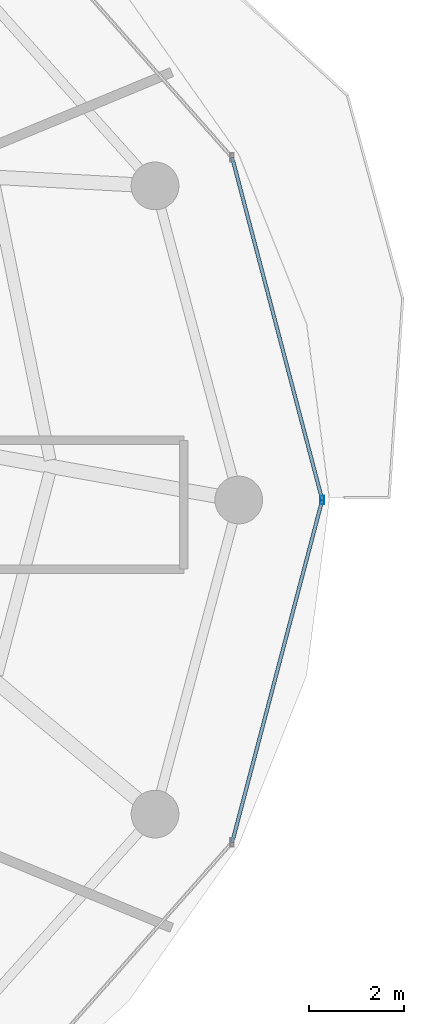
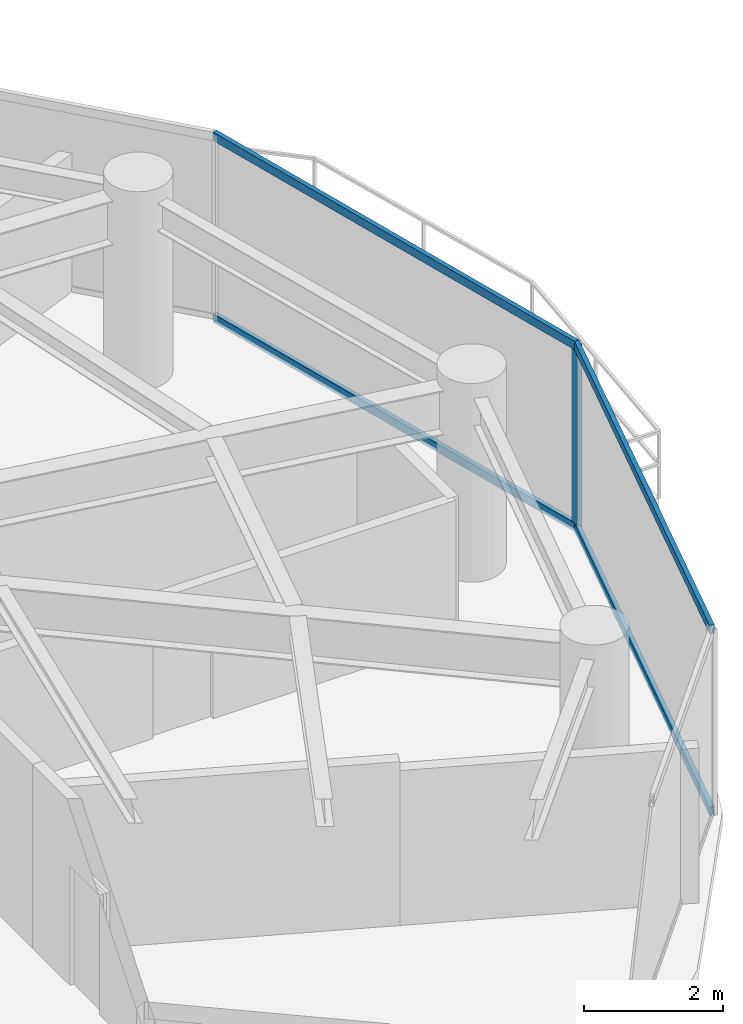
# One storey, part 14 of 28: 5 members, 1 element without a shape of its own.
"""IFC4 building model written with IfcOpenShell, lengths in metres."""

from ifc_helpers import new_model, si_unit, direction, frame, origin, origin_2d, place, context, subcontext, project, spatial, hollow_rectangle, extrude, material, material_profile, profile_set, type_object, element, aggregate, save


model = new_model("IFC4")

# Units and contexts
model_context = context("Model", 3, precision=1e-05, world=origin(), true_north=direction((0.0, 1.0)))
body_context = subcontext(model_context, "Body", "Model", "MODEL_VIEW")
ifc_project = project(units=[si_unit("LENGTHUNIT", "METRE"), si_unit("AREAUNIT", "SQUARE_METRE"), si_unit("VOLUMEUNIT", "CUBIC_METRE"), si_unit("PLANEANGLEUNIT", "RADIAN"), si_unit("MASSUNIT", "GRAM", prefix="KILO")], contexts=[model_context])

# Site, building, storey
site_placement = place(None, origin())
site = spatial("IfcSite", under=ifc_project, at=site_placement, CompositionType="ELEMENT")
building_placement = place(site_placement, origin())
building = spatial("IfcBuilding", under=site, at=building_placement, Name="Vorneva Point Tower", CompositionType="ELEMENT")
storey_placement = place(building_placement, frame((0.0, 0.0, 164.10009765625)))
storey = spatial("IfcBuildingStorey", under=building, at=storey_placement, Name="L44", CompositionType="ELEMENT", Elevation=164.10009765625)

# Curtain wall, members
ifc_material = material(Name="Pale anodised aluminium", Category="aluminium")
curtain_wall_type = type_object("IfcCurtainWallType", Name="CW-RES-SYS", PredefinedType="NOTDEFINED", material=ifc_material)
curtain_wall_placement = place(storey_placement, origin())
curtain_wall = element("IfcCurtainWall", 1, at=curtain_wall_placement, inside=storey, type_object=curtain_wall_type, Name="L44 Unitised Curtain Wall CW-L44-R01", PredefinedType="NOTDEFINED")
ifc_material_profile_1 = material_profile(ifc_material, hollow_rectangle(XDim=0.074951171875, YDim=0.179931640625, WallThickness=0.00390625, at=origin_2d()), Name="AL-MUL 180x75x4")
ifc_profile_set_1 = profile_set([ifc_material_profile_1], Name="Pale anodised aluminium")
member_type_1 = type_object("IfcMemberType", Name="CW-MUL-180", PredefinedType="MULLION", material=ifc_profile_set_1)
member_1_placement = place(storey_placement, frame((62.800048828125, 26.0, -0.0400390625), z_axis=(0.0, 0.0, 1.0), x_axis=(1.0, 0.0, 0.0)))
member_1 = element("IfcMember", 2, at=member_1_placement, type_object=member_type_1, Name="CW-L44-R01 Mullion 03", PredefinedType="MULLION", context=body_context, shape_type="SweptSolid", body=[
    extrude(hollow_rectangle(XDim=0.074951171875, YDim=0.179931640625, WallThickness=0.00390625, at=origin_2d()), origin(), (0.0, 0.0, 1.0), 3.31005859375),
])
ifc_material_profile_2 = material_profile(ifc_material, hollow_rectangle(XDim=0.074951171875, YDim=0.14990234375, WallThickness=0.00390625, at=origin_2d()), Name="AL-TRN 150x75x4")
ifc_profile_set_2 = profile_set([ifc_material_profile_2], Name="Pale anodised aluminium")
member_type_2 = type_object("IfcMemberType", Name="CW-TRN-150", PredefinedType="USERDEFINED", material=ifc_profile_set_2)
member_2_placement = place(storey_placement, frame((60.912109375, 18.82470703125, 0.02001953125), z_axis=(0.254456046293, 0.967084339913, 0.0), x_axis=(-0.967084339913, 0.254456046293, 0.0)))
member_2 = element("IfcMember", 3, at=member_2_placement, type_object=member_type_2, Name="CW-L44-R01 Transom 02.1", ObjectType="TRANSOM", PredefinedType="USERDEFINED", context=body_context, shape_type="SweptSolid", body=[
    extrude(hollow_rectangle(XDim=0.074951171875, YDim=0.14990234375, WallThickness=0.00390625, at=origin_2d()), origin(), (0.0, 0.0, 1.0), 7.41943359375),
])
member_3_placement = place(storey_placement, frame((60.912109375, 18.82470703125, 3.219970703125), z_axis=(0.254456046293, 0.967084339913, 0.0), x_axis=(-0.967084339913, 0.254456046293, 0.0)))
member_3 = element("IfcMember", 4, at=member_3_placement, type_object=member_type_2, Name="CW-L44-R01 Transom 02.2", ObjectType="TRANSOM", PredefinedType="USERDEFINED", context=body_context, shape_type="SweptSolid", body=[
    extrude(hollow_rectangle(XDim=0.074951171875, YDim=0.14990234375, WallThickness=0.00390625, at=origin_2d()), origin(), (0.0, 0.0, 1.0), 7.41943359375),
])
member_4_placement = place(storey_placement, frame((62.800048828125, 26.0, 0.02001953125), z_axis=(-0.254456046293, 0.967084339913, 0.0), x_axis=(-0.967084339913, -0.254456046293, 0.0)))
member_4 = element("IfcMember", 5, at=member_4_placement, type_object=member_type_2, Name="CW-L44-R01 Transom 03.1", ObjectType="TRANSOM", PredefinedType="USERDEFINED", context=body_context, shape_type="SweptSolid", body=[
    extrude(hollow_rectangle(XDim=0.074951171875, YDim=0.14990234375, WallThickness=0.00390625, at=origin_2d()), origin(), (0.0, 0.0, 1.0), 7.41943359375),
])
member_5_placement = place(storey_placement, frame((62.800048828125, 26.0, 3.219970703125), z_axis=(-0.254456046293, 0.967084339913, 0.0), x_axis=(-0.967084339913, -0.254456046293, 0.0)))
member_5 = element("IfcMember", 6, at=member_5_placement, type_object=member_type_2, Name="CW-L44-R01 Transom 03.2", ObjectType="TRANSOM", PredefinedType="USERDEFINED", context=body_context, shape_type="SweptSolid", body=[
    extrude(hollow_rectangle(XDim=0.074951171875, YDim=0.14990234375, WallThickness=0.00390625, at=origin_2d()), origin(), (0.0, 0.0, 1.0), 7.41943359375),
])
aggregate(curtain_wall, [member_1, member_2, member_3, member_4, member_5])

save(model, "model.ifc")
